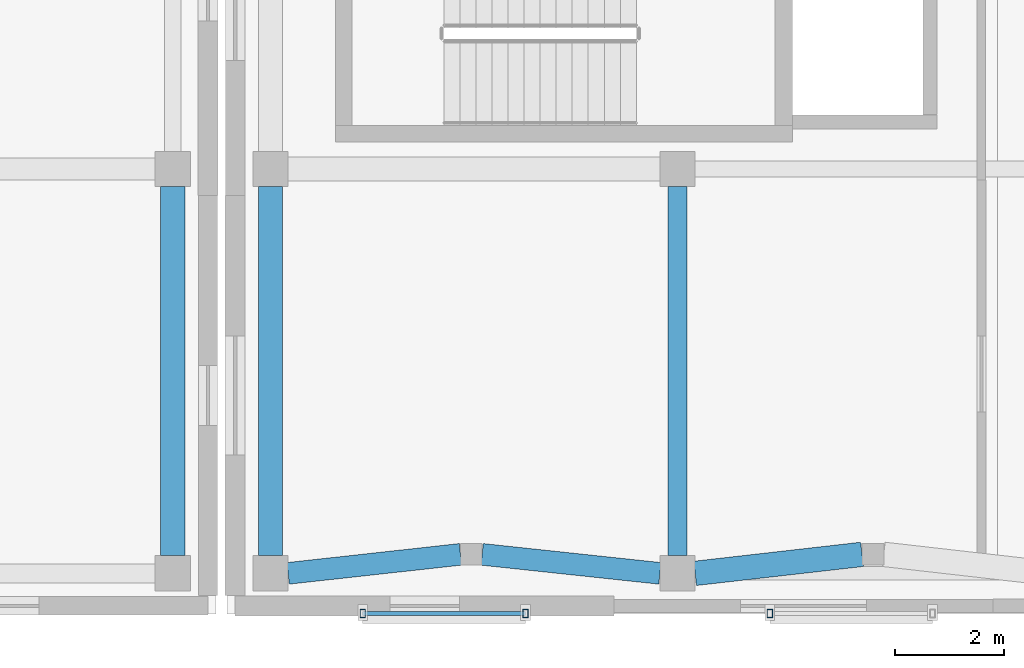
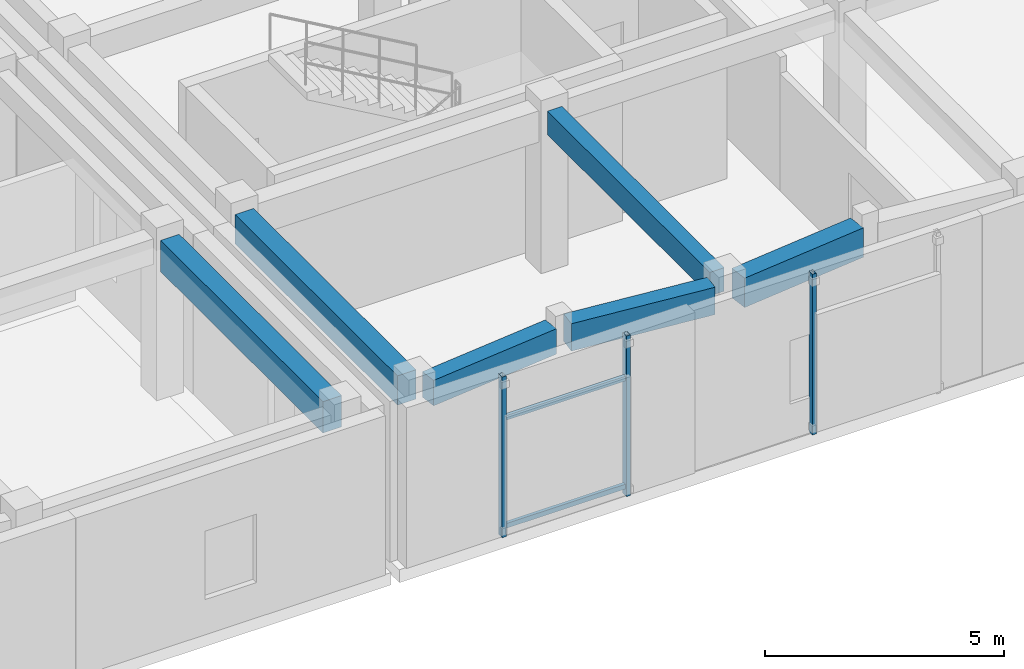
# One storey, part 24 of 142: 6 beams, 5 members.
"""IFC4 building model written with IfcOpenShell, lengths in metres."""

import ifcopenshell
import ifcopenshell.guid

model = None  # the IFC model being written
_history = None  # IfcOwnerHistory: only IFC2X3 demands one
_inside = {}  # id of a spatial element -> (the spatial element, [elements in it])
_under = {}  # id of a project, library or spatial element -> (it, [spatial elements below it])
_declared = {}  # id of a project -> (the project, [libraries it declares])
_typed = {}  # id of a type object -> (the type object, [elements of that type])
_made_of = {}  # id of a material, layer set ... -> (it, [elements and type objects made of it])


def new_model(schema):
    """Start an empty IFC model of exactly this schema.

    Asked for "IFC4X3", IfcOpenShell would pick the latest addendum, in which some entities
    have other attributes; the version numbers below select the first issue.
    IFC2X3 requires an IfcOwnerHistory on every rooted entity: one is made here for all.
    """
    global model, _history
    if schema == "IFC4X3":
        model = ifcopenshell.file(schema_version=(4, 3, 0, 0))
    else:
        model = ifcopenshell.file(schema=schema)
    _inside.clear()
    _under.clear()
    _declared.clear()
    _typed.clear()
    _made_of.clear()
    _history = None
    if model.schema == "IFC2X3":
        org = make("IfcOrganization", Name="unknown")
        user = make(
            "IfcPersonAndOrganization",
            ThePerson=make("IfcPerson", FamilyName="unknown"),
            TheOrganization=org,
        )
        app = make(
            "IfcApplication",
            ApplicationDeveloper=org,
            Version="unknown",
            ApplicationFullName="unknown",
            ApplicationIdentifier="unknown",
        )
        _history = make(
            "IfcOwnerHistory",
            OwningUser=user,
            OwningApplication=app,
            ChangeAction="ADDED",
            CreationDate=0,
        )
    return model


def make(cls, **values):
    """One entity of the class cls with the attributes given. An attribute that is None is left unset."""
    return model.create_entity(
        cls, **{name: value for name, value in values.items() if value is not None}
    )


def rooted(cls, **values):
    """An entity with a GlobalId (a new one), such as an element, a storey or a relation."""
    return make(cls, GlobalId=ifcopenshell.guid.new(), OwnerHistory=_history, **values)


def si_unit(unit_type, name, prefix=None):
    """IfcSIUnit, for example si_unit("LENGTHUNIT", "METRE", prefix="MILLI")."""
    return make("IfcSIUnit", UnitType=unit_type, Prefix=prefix, Name=name)


def assignment(units):
    """IfcUnitAssignment: the units of a project."""
    return None if units is None else make("IfcUnitAssignment", Units=units)


def point(xyz):
    """IfcCartesianPoint."""
    return None if xyz is None else make("IfcCartesianPoint", Coordinates=xyz)


def direction(xyz):
    """IfcDirection."""
    return None if xyz is None else make("IfcDirection", DirectionRatios=xyz)


def frame(location, z_axis=None, x_axis=None):
    """IfcAxis2Placement3D, a coordinate frame: its origin and axes. An axis left out is left unset."""
    return make(
        "IfcAxis2Placement3D",
        Location=point(location),
        Axis=direction(z_axis),
        RefDirection=direction(x_axis),
    )


def frame_2d(location, x_axis=None):
    """IfcAxis2Placement2D, a coordinate frame in the plane: its origin and x axis."""
    return make(
        "IfcAxis2Placement2D", Location=point(location), RefDirection=direction(x_axis)
    )


def origin():
    """The frame at (0, 0, 0) with its axes left unset."""
    return frame((0.0, 0.0, 0.0))


def origin_2d():
    """The frame at (0, 0) in the plane with its x axis left unset."""
    return frame_2d((0.0, 0.0))


def place(relative_to, where):
    """IfcLocalPlacement: puts the frame where relative to a parent placement (None: the world)."""
    return make(
        "IfcLocalPlacement", PlacementRelTo=relative_to, RelativePlacement=where
    )


def context(
    kind, dimensions, precision=None, world=None, true_north=None, identifier=None
):
    """IfcGeometricRepresentationContext, for example the 3D "Model" context."""
    return make(
        "IfcGeometricRepresentationContext",
        ContextIdentifier=identifier,
        ContextType=kind,
        CoordinateSpaceDimension=dimensions,
        Precision=precision,
        WorldCoordinateSystem=world,
        TrueNorth=true_north,
    )


def subcontext(parent, identifier, kind, view, scale=None):
    """IfcGeometricRepresentationSubContext, for example "Body" below "Model"."""
    return make(
        "IfcGeometricRepresentationSubContext",
        ContextIdentifier=identifier,
        ContextType=kind,
        ParentContext=parent,
        TargetScale=scale,
        TargetView=view,
    )


def project(units=None, contexts=None):
    """IfcProject with its units and contexts."""
    return rooted(
        "IfcProject",
        Name="project",
        RepresentationContexts=contexts,
        UnitsInContext=assignment(units),
    )


def spatial(cls, under=None, at=None, **own):
    """A site, building, storey or space (cls), placed at a placement, below another one or the project."""
    s = rooted(cls, ObjectPlacement=at, **own)
    if under is not None:
        _under.setdefault(under.id(), (under, []))[1].append(s)
    return s


def profile(cls, at=None, kind="AREA", **sizes):
    """A parametric profile (cls). Its sizes go by their IFC names, for example OverallWidth=200.0."""
    return make(cls, ProfileType=kind, Position=at, **sizes)


def rectangle(**sizes):
    """IfcRectangleProfileDef."""
    return profile("IfcRectangleProfileDef", **sizes)


def hollow_rectangle(**sizes):
    """IfcRectangleHollowProfileDef."""
    return profile("IfcRectangleHollowProfileDef", **sizes)


def extrude(swept, where, along, depth):
    """IfcExtrudedAreaSolid: the profile swept, set in the frame where, extruded along a direction by depth."""
    return make(
        "IfcExtrudedAreaSolid",
        SweptArea=swept,
        Position=where,
        ExtrudedDirection=direction(along),
        Depth=depth,
    )


def shape(context_of_items, identifier, shape_type, items):
    """IfcShapeRepresentation: the items that make up one representation, for example the "Body"."""
    return make(
        "IfcShapeRepresentation",
        ContextOfItems=context_of_items,
        RepresentationIdentifier=identifier,
        RepresentationType=shape_type,
        Items=items,
    )


def material(Name=None, Category=None):
    """IfcMaterial."""
    return make("IfcMaterial", Name=Name, Category=Category)


def material_profile(
    of_material, cross_section, Name=None, Category=None, Priority=None
):
    """IfcMaterialProfile: a cross section and its material."""
    return make(
        "IfcMaterialProfile",
        Name=Name,
        Material=of_material,
        Profile=cross_section,
        Priority=Priority,
        Category=Category,
    )


def profile_set(profiles, Name=None, composite=None):
    """IfcMaterialProfileSet."""
    return make(
        "IfcMaterialProfileSet",
        Name=Name,
        MaterialProfiles=profiles,
        CompositeProfile=composite,
    )


def made_of(thing, what):
    """Note that an element or type object is made of a material, layer set ...; save() writes the relation."""
    if what is not None:
        _made_of.setdefault(what.id(), (what, []))[1].append(thing)
    return thing


def type_object(cls, material=None, **own):
    """A type object (cls), such as IfcWallType, which elements share."""
    return made_of(rooted(cls, **own), material)


def element(
    cls,
    number,
    at=None,
    inside=None,
    cuts=None,
    type_object=None,
    material=None,
    context=None,
    identifier="Body",
    shape_type=None,
    held_by="IfcProductDefinitionShape",
    body=None,
    shapes=None,
    **own,
):
    """One element of the class cls, such as IfcWall. Its Tag is "e" and its number.

    at: its placement. inside: the storey or other place that contains it. cuts: it is an
    opening in that element (IfcRelVoidsElement). A single representation is given by context,
    identifier, shape_type and body (its items); several are given by shapes. held_by: the class
    of the entity that holds the representations. save() writes the other relations.
    """
    e = rooted(cls, Tag="e%d" % number, ObjectPlacement=at, **own)
    if body is not None:
        shapes = [shape(context, identifier, shape_type, body)]
    if shapes is not None:
        e.Representation = make(held_by, Representations=shapes)
    if inside is not None:
        _inside.setdefault(inside.id(), (inside, []))[1].append(e)
    if cuts is not None:
        rooted(
            "IfcRelVoidsElement", RelatingBuildingElement=cuts, RelatedOpeningElement=e
        )
    if type_object is not None:
        _typed.setdefault(type_object.id(), (type_object, []))[1].append(e)
    return made_of(e, material)


def aggregate(whole, parts):
    """IfcRelAggregates: a whole, such as a stair, and the parts it consists of."""
    return rooted("IfcRelAggregates", RelatingObject=whole, RelatedObjects=parts)


def save(model, path):
    """Write the relations noted so far, then the file.

    IfcRelAggregates (storeys below a building ...), IfcRelContainedInSpatialStructure (elements
    in a storey), IfcRelDefinesByType, IfcRelAssociatesMaterial and IfcRelDeclares: one each for
    every whole, place, type object, material and project.
    """
    for whole, parts in _under.values():
        aggregate(whole, parts)
    for where, things in _inside.values():
        rooted(
            "IfcRelContainedInSpatialStructure",
            RelatedElements=things,
            RelatingStructure=where,
        )
    for kind, things in _typed.values():
        rooted("IfcRelDefinesByType", RelatedObjects=things, RelatingType=kind)
    for what, things in _made_of.values():
        rooted("IfcRelAssociatesMaterial", RelatedObjects=things, RelatingMaterial=what)
    for by, libraries in _declared.values():
        rooted("IfcRelDeclares", RelatingContext=by, RelatedDefinitions=libraries)
    model.write(path)


model = new_model("IFC4")

# Units and contexts
model_context = context("Model", 3, precision=1e-05, world=origin(), true_north=direction((0.0, 1.0)))
body_context = subcontext(model_context, "Body", "Model", "MODEL_VIEW")
ifc_project = project(units=[si_unit("LENGTHUNIT", "METRE"), si_unit("AREAUNIT", "SQUARE_METRE"), si_unit("VOLUMEUNIT", "CUBIC_METRE"), si_unit("PLANEANGLEUNIT", "RADIAN"), si_unit("MASSUNIT", "GRAM", prefix="KILO")], contexts=[model_context])

# Site, building, storey
site_placement = place(None, origin())
site = spatial("IfcSite", under=ifc_project, at=site_placement, CompositionType="ELEMENT")
building_placement = place(site_placement, origin())
building = spatial("IfcBuilding", under=site, at=building_placement, Name="Valcora Specialist Clinic", CompositionType="ELEMENT")
storey_placement = place(building_placement, frame((0.0, 0.0, 5.10009765625)))
storey = spatial("IfcBuildingStorey", under=building, at=storey_placement, Name="L01", CompositionType="ELEMENT", Elevation=5.10009765625)

# Beams
ifc_material_1 = material(Name="Concrete C40/50", Category="concrete")
ifc_material_profile_1 = material_profile(ifc_material_1, rectangle(XDim=0.35009765625, YDim=0.60009765625, at=origin_2d()), Name="RC-BM-350X600")
ifc_profile_set_1 = profile_set([ifc_material_profile_1], Name="Concrete C40/50")
beam_type_1 = type_object("IfcBeamType", Name="TY-BM-RC350X600", PredefinedType="BEAM", material=ifc_profile_set_1)
beam_1_placement = place(storey_placement, frame((61.800048828125, 1.074951171875, 3.804931640625), z_axis=(0.0, 1.0, 0.0), x_axis=(-1.0, 0.0, 0.0)))
element("IfcBeam", 1, at=beam_1_placement, inside=storey, type_object=beam_type_1, Name="Beam BM-L01-1332", PredefinedType="BEAM", context=body_context, shape_type="SweptSolid", body=[
    extrude(rectangle(XDim=0.35009765625, YDim=0.60009765625, at=origin_2d()), origin(), (0.0, 0.0, 1.0), 6.800048828125),
])
ifc_material_profile_2 = material_profile(ifc_material_1, rectangle(XDim=0.39990234375, YDim=0.64990234375, at=origin_2d()), Name="RC-BM-400X650")
ifc_profile_set_2 = profile_set([ifc_material_profile_2], Name="Concrete C40/50")
beam_type_2 = type_object("IfcBeamType", Name="TY-BM-RC400X650", PredefinedType="BEAM", material=ifc_profile_set_2)
beam_2_placement = place(storey_placement, frame((54.625, 0.75, 3.77978515625), z_axis=(0.993975663273, 0.109601007392, 0.0), x_axis=(-0.109601007392, 0.993975663273, 0.0)))
element("IfcBeam", 2, at=beam_2_placement, inside=storey, type_object=beam_type_2, Name="Beam BM-L01-1287", PredefinedType="BEAM", context=body_context, shape_type="SweptSolid", body=[
    extrude(rectangle(XDim=0.39990234375, YDim=0.64990234375, at=origin_2d()), origin(), (0.0, 0.0, 1.0), 3.1943359375),
])
ifc_material_profile_3 = material_profile(ifc_material_1, rectangle(XDim=0.39990234375, YDim=0.699951171875, at=origin_2d()), Name="RC-BM-400X700")
ifc_profile_set_3 = profile_set([ifc_material_profile_3], Name="Concrete C40/50")
beam_type_3 = type_object("IfcBeamType", Name="TY-BM-RC400X700", PredefinedType="BEAM", material=ifc_profile_set_3)
beam_3_placement = place(storey_placement, frame((58.199951171875, 1.10009765625, 3.7548828125), z_axis=(0.994335202062, -0.106289726408, 0.0), x_axis=(0.106289726408, 0.994335202062, 0.0)))
element("IfcBeam", 3, at=beam_3_placement, inside=storey, type_object=beam_type_3, Name="Beam BM-L01-1288", PredefinedType="BEAM", context=body_context, shape_type="SweptSolid", body=[
    extrude(rectangle(XDim=0.39990234375, YDim=0.699951171875, at=origin_2d()), origin(), (0.0, 0.0, 1.0), 3.293701171875),
])
ifc_material_profile_4 = material_profile(ifc_material_1, rectangle(XDim=0.449951171875, YDim=0.75, at=origin_2d()), Name="RC-BM-450X750")
ifc_profile_set_4 = profile_set([ifc_material_profile_4], Name="Concrete C40/50")
beam_type_4 = type_object("IfcBeamType", Name="TY-BM-RC450X750", PredefinedType="BEAM", material=ifc_profile_set_4)
beam_4_placement = place(storey_placement, frame((62.125, 0.75, 3.72998046875), z_axis=(0.993580893822, 0.113123858812, 0.0), x_axis=(-0.113123858812, 0.993580893822, 0.0)))
element("IfcBeam", 4, at=beam_4_placement, inside=storey, type_object=beam_type_4, Name="Beam BM-L01-1289", PredefinedType="BEAM", context=body_context, shape_type="SweptSolid", body=[
    extrude(rectangle(XDim=0.449951171875, YDim=0.75, at=origin_2d()), origin(), (0.0, 0.0, 1.0), 3.0947265625),
])
beam_5_placement = place(storey_placement, frame((54.300048828125, 1.074951171875, 3.72998046875), z_axis=(0.0, 1.0, 0.0), x_axis=(-1.0, 0.0, 0.0)))
element("IfcBeam", 5, at=beam_5_placement, inside=storey, type_object=beam_type_4, Name="Beam BM-L01-1329", PredefinedType="BEAM", context=body_context, shape_type="SweptSolid", body=[
    extrude(rectangle(XDim=0.449951171875, YDim=0.75, at=origin_2d()), origin(), (0.0, 0.0, 1.0), 6.800048828125),
])
ifc_material_profile_5 = material_profile(ifc_material_1, rectangle(XDim=0.449951171875, YDim=0.800048828125, at=origin_2d()), Name="RC-BM-450X800")
ifc_profile_set_5 = profile_set([ifc_material_profile_5], Name="Concrete C40/50")
beam_type_5 = type_object("IfcBeamType", Name="TY-BM-RC450X800", PredefinedType="BEAM", material=ifc_profile_set_5)
beam_6_placement = place(storey_placement, frame((52.5, 1.074951171875, 3.6748046875), z_axis=(0.0, 1.0, 0.0), x_axis=(-1.0, 0.0, 0.0)))
element("IfcBeam", 6, at=beam_6_placement, inside=storey, type_object=beam_type_5, Name="Beam BM-L01-0976", PredefinedType="BEAM", context=body_context, shape_type="SweptSolid", body=[
    extrude(rectangle(XDim=0.449951171875, YDim=0.800048828125, at=origin_2d()), origin(), (0.0, 0.0, 1.0), 6.800048828125),
])

# Members
ifc_material_2 = material(Name="Steel ASTM A500 Grade C", Category="steel")
ifc_material_profile_6 = material_profile(ifc_material_2, hollow_rectangle(XDim=0.10009765625, YDim=0.14990234375, WallThickness=0.006103515625, at=origin_2d()), Name="ST-RHS-150X100X6")
ifc_profile_set_6 = profile_set([ifc_material_profile_6], Name="Steel ASTM A500 Grade C")
member_type_1 = type_object("IfcMemberType", Name="TY-MB-SFPOST", PredefinedType="POST", material=ifc_profile_set_6)
for number, where, z_axis, x_axis, name in (
    (7, (56.0, 0.010009765625, 0.0), (0.0, 0.0, 1.0), (1.0, 0.0, 0.0), "Brick screen carrier post 57"),
    (8, (59.0, 0.010009765625, 0.0), (0.0, 0.0, 1.0), (1.0, 0.0, 0.0), "Brick screen carrier post 58"),
    (9, (63.5, 0.010009765625, 0.0), (0.0, 0.0, 1.0), (1.0, 0.0, 0.0), "Brick screen carrier post 61"),
):
    element("IfcMember", number, at=place(storey_placement, frame(where, z_axis=z_axis, x_axis=x_axis)), inside=storey, type_object=member_type_1, Name=name, PredefinedType="POST", context=body_context, shape_type="SweptSolid", body=[
        extrude(hollow_rectangle(XDim=0.10009765625, YDim=0.14990234375, WallThickness=0.006103515625, at=origin_2d()), origin(), (0.0, 0.0, 1.0), 4.10498046875),
    ])
ifc_material_profile_7 = material_profile(ifc_material_2, hollow_rectangle(XDim=0.080078125, YDim=0.1201171875, WallThickness=0.0048828125, at=origin_2d()), Name="ST-RHS-120X80X5")
ifc_profile_set_7 = profile_set([ifc_material_profile_7], Name="Steel ASTM A500 Grade C")
member_type_2 = type_object("IfcMemberType", Name="TY-MB-SFRAIL", PredefinedType="STRINGER", material=ifc_profile_set_7)
for number, where, z_axis, x_axis, name in (
    (10, (56.0, 0.010009765625, 0.239990234375), (1.0, 0.0, 0.0), (0.0, 1.0, 0.0), "Brick screen carrier rail 59"),
    (11, (56.0, 0.010009765625, 3.0), (1.0, 0.0, 0.0), (0.0, 1.0, 0.0), "Brick screen carrier rail 60"),
):
    element("IfcMember", number, at=place(storey_placement, frame(where, z_axis=z_axis, x_axis=x_axis)), inside=storey, type_object=member_type_2, Name=name, PredefinedType="STRINGER", context=body_context, shape_type="SweptSolid", body=[
        extrude(hollow_rectangle(XDim=0.080078125, YDim=0.1201171875, WallThickness=0.0048828125, at=origin_2d()), origin(), (0.0, 0.0, 1.0), 3.0),
    ])

save(model, "model.ifc")
